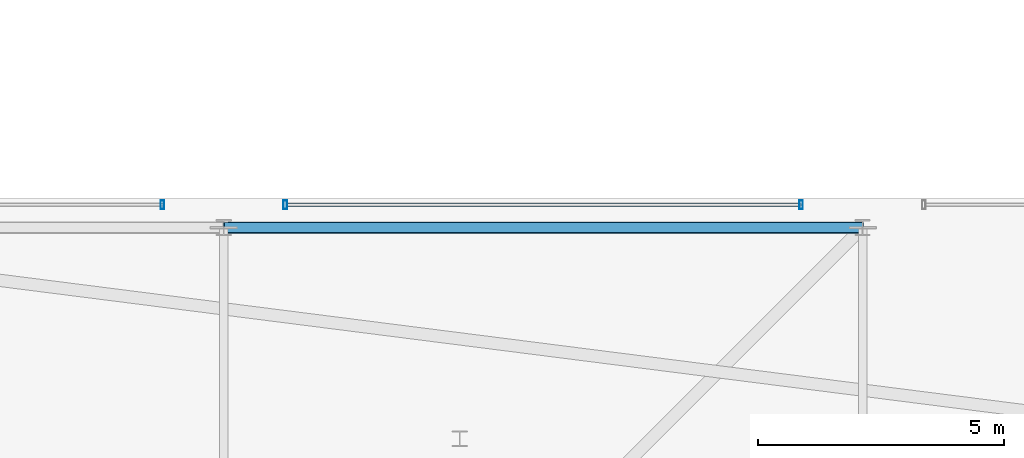
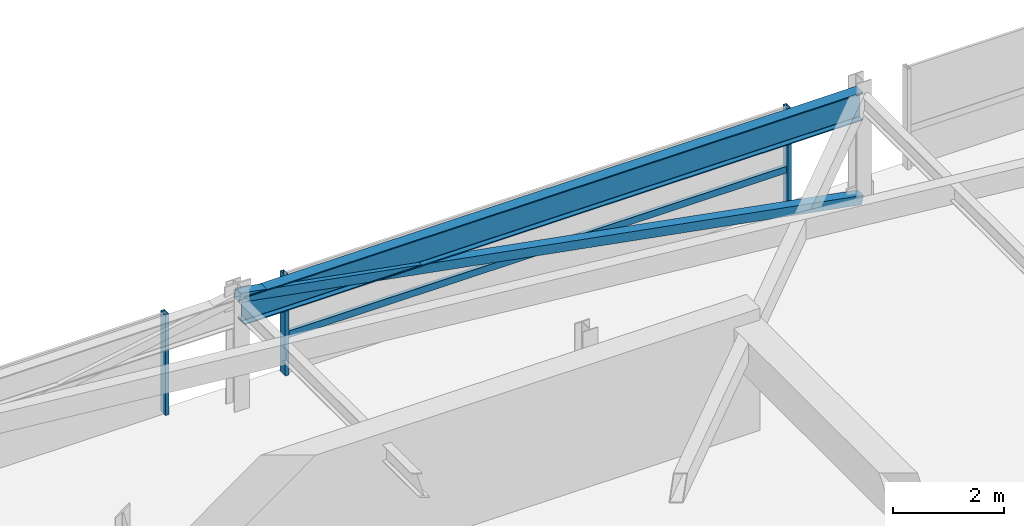
# One storey, part 26 of 44: 5 members, 1 beam, 2 elements without a shape of their own.
"""IFC4 building model written with IfcOpenShell, lengths in metres."""

from ifc_helpers import new_model, si_unit, direction, frame, origin, origin_2d, place, context, subcontext, project, spatial, hollow_rectangle, i_section, extrude, material, material_profile, profile_set, type_object, element, aggregate, save


model = new_model("IFC4")

# Units and contexts
model_context = context("Model", 3, precision=1e-05, world=origin(), true_north=direction((0.0, 1.0)))
body_context = subcontext(model_context, "Body", "Model", "MODEL_VIEW")
ifc_project = project(units=[si_unit("LENGTHUNIT", "METRE"), si_unit("AREAUNIT", "SQUARE_METRE"), si_unit("VOLUMEUNIT", "CUBIC_METRE"), si_unit("PLANEANGLEUNIT", "RADIAN"), si_unit("MASSUNIT", "GRAM", prefix="KILO")], contexts=[model_context])

# Site, building, storey
site_placement = place(None, origin())
site = spatial("IfcSite", under=ifc_project, at=site_placement, CompositionType="ELEMENT")
building_placement = place(site_placement, origin())
building = spatial("IfcBuilding", under=site, at=building_placement, Name="Thornwick Lancets Civic Towers", CompositionType="ELEMENT")
storey_placement = place(building_placement, frame((0.0, 0.0, 292.199951171875)))
storey = spatial("IfcBuildingStorey", under=building, at=storey_placement, Name="C05", CompositionType="ELEMENT", Elevation=292.199951171875)

# Beam
ifc_material_1 = material(Name="Steel S355JR", Category="steel")
ifc_material_profile_1 = material_profile(ifc_material_1, i_section(OverallWidth=0.230224609375, OverallDepth=0.6171875, WebThickness=0.01318359375, FlangeThickness=0.022216796875, FilletRadius=0.0126953125, at=origin_2d()), Name="UKB 610x229x140")
ifc_profile_set_1 = profile_set([ifc_material_profile_1], Name="Steel S355JR")
beam_type = type_object("IfcBeamType", Name="BM_GIRD_610_140", PredefinedType="BEAM", material=ifc_profile_set_1)
beam_placement = place(storey_placement, frame((25.580078125, 44.300048828125, 2.13134765625), z_axis=(1.0, 0.0, 0.0), x_axis=(0.0, 1.0, 0.0)))
element("IfcBeam", 1, at=beam_placement, inside=storey, type_object=beam_type, Name="BM-SPINE-C05-A-7-8", PredefinedType="BEAM", context=body_context, shape_type="SweptSolid", body=[
    extrude(i_section(OverallWidth=0.230224609375, OverallDepth=0.6171875, WebThickness=0.01318359375, FlangeThickness=0.022216796875, FilletRadius=0.0126953125, at=origin_2d()), origin(), (0.0, 0.0, 1.0), 12.919921875),
])

# Curtain wall, members
ifc_material_2 = material(Name="Crown ring acoustic-louvre and glazing screen wall", Category="glass")
curtain_wall_type = type_object("IfcCurtainWallType", Name="CW_SYS_07", PredefinedType="NOTDEFINED", material=ifc_material_2)
curtain_wall_1_placement = place(storey_placement, origin())
curtain_wall_1 = element("IfcCurtainWall", 2, at=curtain_wall_1_placement, inside=storey, type_object=curtain_wall_type, Name="C05 Curtain Wall CW-C05-A-E4-S2", PredefinedType="NOTDEFINED")
ifc_material_3 = material(Name="Thermally broken bronze aluminium S355", Category="steel")
ifc_material_profile_2 = material_profile(ifc_material_3, hollow_rectangle(XDim=0.074951171875, YDim=0.179931640625, WallThickness=0.006103515625, at=origin_2d()), Name="RHS 180x75x6")
ifc_profile_set_2 = profile_set([ifc_material_profile_2], Name="Thermally broken bronze aluminium S355")
member_type_1 = type_object("IfcMemberType", Name="CW_MUL_180", PredefinedType="MULLION", material=ifc_profile_set_2)
member_1_placement = place(storey_placement, frame((37.25, 44.7646484375, 0.0), z_axis=(0.0, 0.0, 1.0), x_axis=(1.0, 0.0, 0.0)))
member_1 = element("IfcMember", 3, at=member_1_placement, type_object=member_type_1, Name="CW-C05-A-E4-S2 Mullion 0", PredefinedType="MULLION", context=body_context, shape_type="SweptSolid", body=[
    extrude(hollow_rectangle(XDim=0.074951171875, YDim=0.179931640625, WallThickness=0.006103515625, at=origin_2d()), origin(), (0.0, 0.0, 1.0), 2.219970703125),
])
member_2_placement = place(storey_placement, frame((26.75, 44.7646484375, 0.0), z_axis=(0.0, 0.0, 1.0), x_axis=(1.0, 0.0, 0.0)))
member_2 = element("IfcMember", 4, at=member_2_placement, type_object=member_type_1, Name="CW-C05-A-E4-S2 Mullion 1", PredefinedType="MULLION", context=body_context, shape_type="SweptSolid", body=[
    extrude(hollow_rectangle(XDim=0.074951171875, YDim=0.179931640625, WallThickness=0.006103515625, at=origin_2d()), origin(), (0.0, 0.0, 1.0), 2.219970703125),
])

# Curtain wall, member
curtain_wall_2_placement = place(storey_placement, origin())
curtain_wall_2 = element("IfcCurtainWall", 5, at=curtain_wall_2_placement, inside=storey, type_object=curtain_wall_type, Name="C05 Curtain Wall CW-C05-A-E4-S3", PredefinedType="NOTDEFINED")
member_3_placement = place(storey_placement, frame((24.25, 44.7646484375, 0.0), z_axis=(0.0, 0.0, 1.0), x_axis=(1.0, 0.0, 0.0)))
member_3 = element("IfcMember", 6, at=member_3_placement, type_object=member_type_1, Name="CW-C05-A-E4-S3 Mullion 0", PredefinedType="MULLION", context=body_context, shape_type="SweptSolid", body=[
    extrude(hollow_rectangle(XDim=0.074951171875, YDim=0.179931640625, WallThickness=0.006103515625, at=origin_2d()), origin(), (0.0, 0.0, 1.0), 2.219970703125),
])
aggregate(curtain_wall_2, [member_3])

# Member
ifc_material_profile_3 = material_profile(ifc_material_3, hollow_rectangle(XDim=0.074951171875, YDim=0.14990234375, WallThickness=0.0048828125, at=origin_2d()), Name="RHS 150x75x5")
ifc_profile_set_3 = profile_set([ifc_material_profile_3], Name="Thermally broken bronze aluminium S355")
member_type_2 = type_object("IfcMemberType", Name="CW_TRN_150", PredefinedType="USERDEFINED", material=ifc_profile_set_3)
member_4_placement = place(storey_placement, frame((37.22998046875, 44.7646484375, 0.85009765625), z_axis=(-1.0, 0.0, 0.0), x_axis=(0.0, -1.0, 0.0)))
member_4 = element("IfcMember", 7, at=member_4_placement, type_object=member_type_2, Name="CW-C05-A-E4-S2 Transom 0", ObjectType="TRANSOM", PredefinedType="USERDEFINED", context=body_context, shape_type="SweptSolid", body=[
    extrude(hollow_rectangle(XDim=0.074951171875, YDim=0.14990234375, WallThickness=0.0048828125, at=origin_2d()), origin(), (0.0, 0.0, 1.0), 10.4599609375),
])

aggregate(curtain_wall_1, [member_1, member_2, member_4])

ifc_material_profile_4 = material_profile(ifc_material_1, hollow_rectangle(XDim=0.199951171875, YDim=0.199951171875, WallThickness=0.012451171875, at=origin_2d()), Name="SHS 200x200x12.5")
ifc_profile_set_4 = profile_set([ifc_material_profile_4], Name="Steel S355JR")
member_type_3 = type_object("IfcMemberType", Name="MEM_CROWN_SHS200", PredefinedType="BRACE", material=ifc_profile_set_4)
member_5_placement = place(storey_placement, frame((38.5, 44.300048828125, 0.050048828125), z_axis=(-0.98351842104, 0.0, 0.180807951915), x_axis=(0.0, -1.0, 0.0)))
element("IfcMember", 8, at=member_5_placement, inside=storey, type_object=member_type_3, Name="C05 Crown Ring Lancet Rib A-S2-R", PredefinedType="BRACE", context=body_context, shape_type="SweptSolid", body=[
    extrude(hollow_rectangle(XDim=0.199951171875, YDim=0.199951171875, WallThickness=0.012451171875, at=origin_2d()), origin(), (0.0, 0.0, 1.0), 13.2177734375),
])

save(model, "model.ifc")
